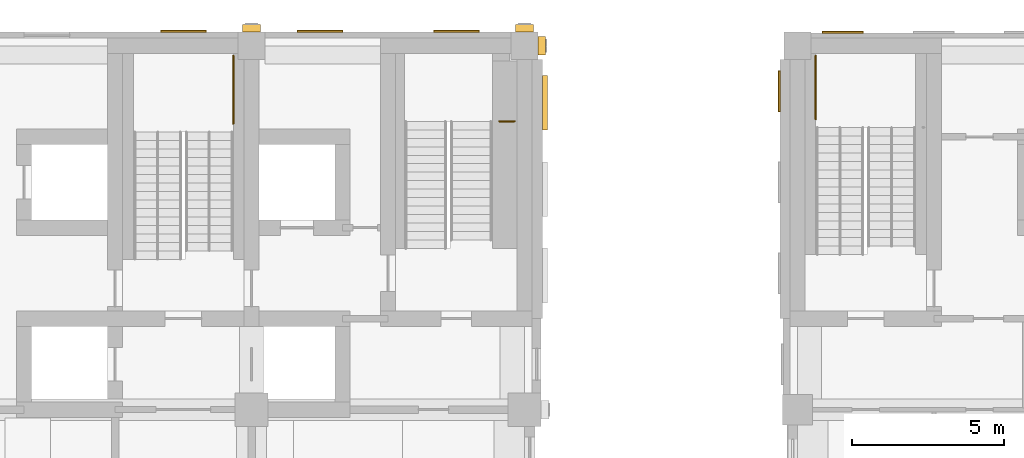
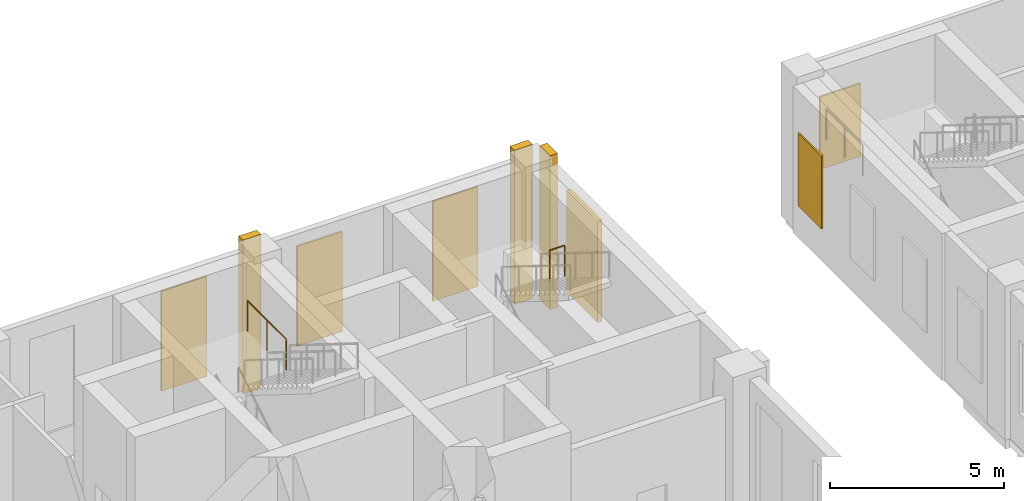
# One storey, part 34 of 37: 9 coverings, 3 railings.
"""IFC4 building model written with IfcOpenShell, lengths in metres."""

from ifc_helpers import new_model, si_unit, direction, frame, origin, origin_2d, place, context, subcontext, project, spatial, rectangle, circle, extrude, material, layer, layer_set, type_object, element, save


model = new_model("IFC4")

# Units and contexts
model_context = context("Model", 3, precision=1e-05, world=origin(), true_north=direction((0.0, 1.0)))
body_context = subcontext(model_context, "Body", "Model", "MODEL_VIEW")
ifc_project = project(units=[si_unit("LENGTHUNIT", "METRE"), si_unit("AREAUNIT", "SQUARE_METRE"), si_unit("VOLUMEUNIT", "CUBIC_METRE"), si_unit("PLANEANGLEUNIT", "RADIAN"), si_unit("MASSUNIT", "GRAM", prefix="KILO")], contexts=[model_context])

# Site, building, storey
site_placement = place(None, origin())
site = spatial("IfcSite", under=ifc_project, at=site_placement, CompositionType="ELEMENT")
building_placement = place(site_placement, origin())
building = spatial("IfcBuilding", under=site, at=building_placement, Name="Aurelan Courthouse", CompositionType="ELEMENT")
storey_placement = place(building_placement, frame((0.0, 0.0, 17.39990234375)))
storey = spatial("IfcBuildingStorey", under=building, at=storey_placement, Name="L03", CompositionType="ELEMENT", Elevation=17.39990234375)

# Coverings
ifc_material_1 = material(Name="Bronze sheet cladding")
ifc_layer_1 = layer(ifc_material_1, 0.06005859375)
ifc_layer_set_1 = layer_set([ifc_layer_1], Name="Bronze sheet cladding")
covering_type_1 = type_object("IfcCoveringType", Name="Courtroom Block blind bay 1500 x 3500", PredefinedType="CLADDING", material=ifc_layer_set_1)
for number, where, z_axis, x_axis, name in (
    (1, (51.75, 66.47998046875, 1.050048828125), (0.0, 0.0, 1.0), (1.0, 0.0, 0.0), "Blind bay BB-V2-L03-002"),
    (2, (56.25, 66.47998046875, 1.050048828125), (0.0, 0.0, 1.0), (1.0, 0.0, 0.0), "Blind bay BB-V2-L03-003"),
    (3, (60.75, 66.47998046875, 1.050048828125), (0.0, 0.0, 1.0), (1.0, 0.0, 0.0), "Blind bay BB-V2-L03-004"),
):
    element("IfcCovering", number, at=place(storey_placement, frame(where, z_axis=z_axis, x_axis=x_axis)), inside=storey, type_object=covering_type_1, Name=name, PredefinedType="CLADDING", context=body_context, shape_type="SweptSolid", body=[
        extrude(rectangle(XDim=1.5, YDim=0.06005859375, at=origin_2d()), origin(), (0.0, 0.0, 1.0), 3.5),
    ])
ifc_material_2 = material(Name="Limestone cladding", Category="masonry")
covering_type_2 = type_object("IfcCoveringType", Name="Courtroom Block pilaster fin 600 x 250", PredefinedType="CLADDING", material=ifc_material_2)
for number, where, z_axis, x_axis, name in (
    (4, (54.0, 66.574951171875, 0.000244140625), (0.0, 0.0, 1.0), (1.0, 0.0, 0.0), "Pilaster fin FN-V2-018"),
    (5, (63.0, 66.574951171875, 0.000244140625), (0.0, 0.0, 1.0), (1.0, 0.0, 0.0), "Pilaster fin FN-V2-019"),
):
    element("IfcCovering", number, at=place(storey_placement, frame(where, z_axis=z_axis, x_axis=x_axis)), inside=storey, type_object=covering_type_2, Name=name, PredefinedType="CLADDING", context=body_context, shape_type="SweptSolid", body=[
        extrude(rectangle(XDim=0.60009765625, YDim=0.25, at=origin_2d()), origin(), (0.0, 0.0, 1.0), 5.39990234375),
    ])
covering_1_placement = place(storey_placement, frame((63.574951171875, 66.0, 0.000244140625), z_axis=(0.0, 0.0, 1.0), x_axis=(1.0, 0.0, 0.0)))
element("IfcCovering", 6, at=covering_1_placement, inside=storey, type_object=covering_type_2, Name="Pilaster fin FN-V2-022", PredefinedType="CLADDING", context=body_context, shape_type="SweptSolid", body=[
    extrude(rectangle(XDim=0.25, YDim=0.60009765625, at=origin_2d()), origin(), (0.0, 0.0, 1.0), 5.39990234375),
])
ifc_layer_2 = layer(ifc_material_1, 0.06005859375)
ifc_layer_set_2 = layer_set([ifc_layer_2], Name="Bronze sheet cladding")
covering_type_3 = type_object("IfcCoveringType", Name="Law Library blind bay 1350 x 2550", PredefinedType="CLADDING", material=ifc_layer_set_2)
covering_2_placement = place(storey_placement, frame((73.5, 66.449951171875, 1.2001953125), z_axis=(0.0, 0.0, 1.0), x_axis=(1.0, 0.0, 0.0)))
element("IfcCovering", 7, at=covering_2_placement, inside=storey, type_object=covering_type_3, Name="Blind bay BB-V3-L03-007", PredefinedType="CLADDING", context=body_context, shape_type="SweptSolid", body=[
    extrude(rectangle(XDim=1.35009765625, YDim=0.06005859375, at=origin_2d()), origin(), (0.0, 0.0, 1.0), 2.550048828125),
])
covering_3_placement = place(storey_placement, frame((71.39990234375, 64.5, 1.2001953125), z_axis=(0.0, 0.0, 1.0), x_axis=(1.0, 0.0, 0.0)))
element("IfcCovering", 8, at=covering_3_placement, inside=storey, type_object=covering_type_3, Name="Blind bay BB-V3-L03-026", PredefinedType="CLADDING", context=body_context, shape_type="SweptSolid", body=[
    extrude(rectangle(XDim=0.06005859375, YDim=1.35009765625, at=origin_2d()), origin(), (0.0, 0.0, 1.0), 2.550048828125),
])
ifc_layer_3 = layer(ifc_material_1, 0.14990234375)
ifc_layer_set_3 = layer_set([ifc_layer_3], Name="Bronze sheet cladding")
covering_type_4 = type_object("IfcCoveringType", Name="Relief panel 1800 x 3550 x 150", PredefinedType="CLADDING", material=ifc_layer_set_3)
covering_4_placement = place(storey_placement, frame((63.675048828125, 64.125, 1.0), z_axis=(0.0, 0.0, 1.0), x_axis=(1.0, 0.0, 0.0)))
element("IfcCovering", 9, at=covering_4_placement, inside=storey, type_object=covering_type_4, Name="Relief panel RP-V2-023", PredefinedType="CLADDING", context=body_context, shape_type="SweptSolid", body=[
    extrude(rectangle(XDim=0.14990234375, YDim=1.800048828125, at=origin_2d()), origin(), (0.0, 0.0, 1.0), 3.550048828125),
])

# Railings
ifc_material_3 = material(Name="Steel S355", Category="steel")
railing_type = type_object("IfcRailingType", Name="Stair guard 1100", PredefinedType="GUARDRAIL", material=ifc_material_3)
railing_1_placement = place(storey_placement, frame((53.39990234375, 65.669921875, 2.787109375)))
element("IfcRailing", 10, at=railing_1_placement, inside=storey, type_object=railing_type, Name="Guard ST-2A-L03-GL1", PredefinedType="GUARDRAIL", context=body_context, shape_type="SweptSolid", body=[
    extrude(circle(Radius=0.02392578125, at=origin_2d()), frame((0.0, 0.0, 1.076171875), z_axis=(0.0, -1.0, 0.0), x_axis=(1.0, 0.0, 0.0)), (0.0, 0.0, 1.0), 2.234619140625),
    extrude(circle(Radius=0.02099609375, at=origin_2d()), origin(), (0.0, 0.0, 1.0), 1.052001953125),
    extrude(circle(Radius=0.02099609375, at=origin_2d()), frame((0.0, -1.1171875, 0.0)), (0.0, 0.0, 1.0), 1.052001953125),
    extrude(circle(Radius=0.02099609375, at=origin_2d()), frame((0.0, -2.234619140625, 0.0)), (0.0, 0.0, 1.0), 1.052001953125),
])
railing_2_placement = place(storey_placement, frame((62.669921875, 63.510009765625, 2.787109375)))
element("IfcRailing", 11, at=railing_2_placement, inside=storey, type_object=railing_type, Name="Guard ST-2E-L03-GL1", PredefinedType="GUARDRAIL", context=body_context, shape_type="SweptSolid", body=[
    extrude(circle(Radius=0.02392578125, at=origin_2d()), frame((0.0, 0.0, 1.076171875), z_axis=(-1.0, 0.0, 0.0), x_axis=(0.0, -1.0, 0.0)), (0.0, 0.0, 1.0), 0.5),
    extrude(circle(Radius=0.02099609375, at=origin_2d()), origin(), (0.0, 0.0, 1.0), 1.052001953125),
    extrude(circle(Radius=0.02099609375, at=origin_2d()), frame((-0.5, 0.0, 0.0)), (0.0, 0.0, 1.0), 1.052001953125),
])
railing_3_placement = place(storey_placement, frame((72.60009765625, 63.585205078125, 2.787109375)))
element("IfcRailing", 12, at=railing_3_placement, inside=storey, type_object=railing_type, Name="Guard ST-3A-L03-GL1", PredefinedType="GUARDRAIL", context=body_context, shape_type="SweptSolid", body=[
    extrude(circle(Radius=0.02392578125, at=origin_2d()), frame((0.0, 0.0, 1.076171875), z_axis=(0.0, 1.0, 0.0), x_axis=(-1.0, 0.0, 0.0)), (0.0, 0.0, 1.0), 2.084716796875),
    extrude(circle(Radius=0.02099609375, at=origin_2d()), origin(), (0.0, 0.0, 1.0), 1.052001953125),
    extrude(circle(Radius=0.02099609375, at=origin_2d()), frame((0.0, 1.04248046875, 0.0)), (0.0, 0.0, 1.0), 1.052001953125),
    extrude(circle(Radius=0.02099609375, at=origin_2d()), frame((0.0, 2.084716796875, 0.0)), (0.0, 0.0, 1.0), 1.052001953125),
])

save(model, "model.ifc")
